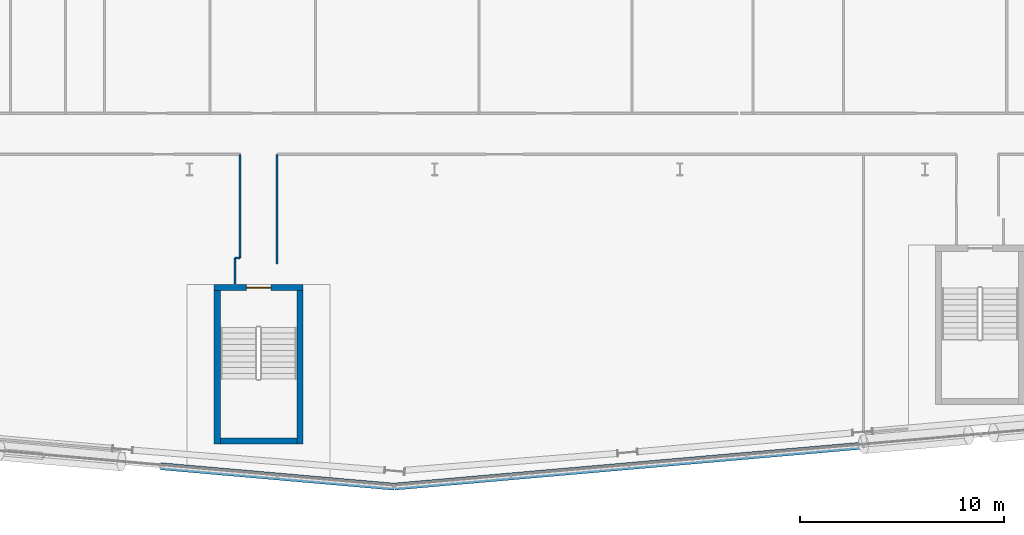
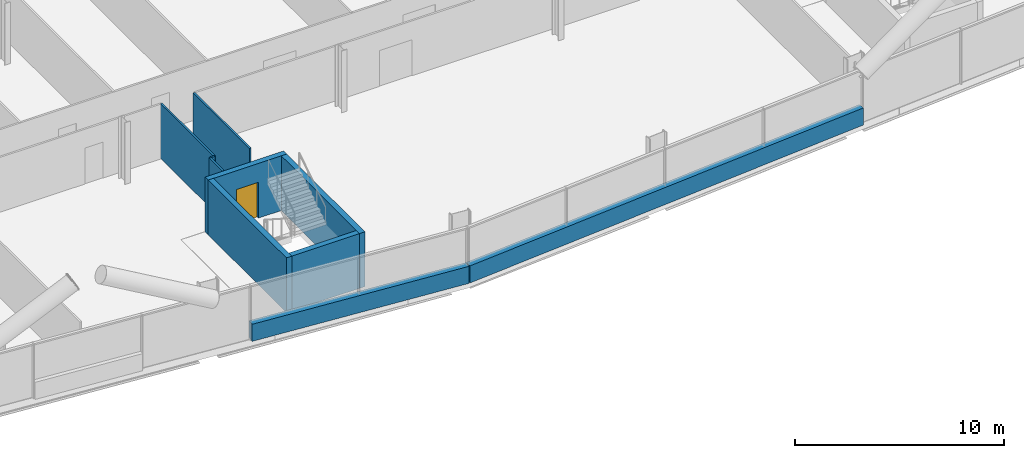
# One storey, part 14 of 27: 10 walls, 1 door, 1 opening.
"""IFC4 building model written with IfcOpenShell, lengths in metres."""

import ifcopenshell
import ifcopenshell.guid

model = None  # the IFC model being written
_history = None  # IfcOwnerHistory: only IFC2X3 demands one
_inside = {}  # id of a spatial element -> (the spatial element, [elements in it])
_under = {}  # id of a project, library or spatial element -> (it, [spatial elements below it])
_declared = {}  # id of a project -> (the project, [libraries it declares])
_typed = {}  # id of a type object -> (the type object, [elements of that type])
_made_of = {}  # id of a material, layer set ... -> (it, [elements and type objects made of it])


def new_model(schema):
    """Start an empty IFC model of exactly this schema.

    Asked for "IFC4X3", IfcOpenShell would pick the latest addendum, in which some entities
    have other attributes; the version numbers below select the first issue.
    IFC2X3 requires an IfcOwnerHistory on every rooted entity: one is made here for all.
    """
    global model, _history
    if schema == "IFC4X3":
        model = ifcopenshell.file(schema_version=(4, 3, 0, 0))
    else:
        model = ifcopenshell.file(schema=schema)
    _inside.clear()
    _under.clear()
    _declared.clear()
    _typed.clear()
    _made_of.clear()
    _history = None
    if model.schema == "IFC2X3":
        org = make("IfcOrganization", Name="unknown")
        user = make(
            "IfcPersonAndOrganization",
            ThePerson=make("IfcPerson", FamilyName="unknown"),
            TheOrganization=org,
        )
        app = make(
            "IfcApplication",
            ApplicationDeveloper=org,
            Version="unknown",
            ApplicationFullName="unknown",
            ApplicationIdentifier="unknown",
        )
        _history = make(
            "IfcOwnerHistory",
            OwningUser=user,
            OwningApplication=app,
            ChangeAction="ADDED",
            CreationDate=0,
        )
    return model


def make(cls, **values):
    """One entity of the class cls with the attributes given. An attribute that is None is left unset."""
    return model.create_entity(
        cls, **{name: value for name, value in values.items() if value is not None}
    )


def rooted(cls, **values):
    """An entity with a GlobalId (a new one), such as an element, a storey or a relation."""
    return make(cls, GlobalId=ifcopenshell.guid.new(), OwnerHistory=_history, **values)


def si_unit(unit_type, name, prefix=None):
    """IfcSIUnit, for example si_unit("LENGTHUNIT", "METRE", prefix="MILLI")."""
    return make("IfcSIUnit", UnitType=unit_type, Prefix=prefix, Name=name)


def assignment(units):
    """IfcUnitAssignment: the units of a project."""
    return None if units is None else make("IfcUnitAssignment", Units=units)


def point(xyz):
    """IfcCartesianPoint."""
    return None if xyz is None else make("IfcCartesianPoint", Coordinates=xyz)


def direction(xyz):
    """IfcDirection."""
    return None if xyz is None else make("IfcDirection", DirectionRatios=xyz)


def frame(location, z_axis=None, x_axis=None):
    """IfcAxis2Placement3D, a coordinate frame: its origin and axes. An axis left out is left unset."""
    return make(
        "IfcAxis2Placement3D",
        Location=point(location),
        Axis=direction(z_axis),
        RefDirection=direction(x_axis),
    )


def frame_2d(location, x_axis=None):
    """IfcAxis2Placement2D, a coordinate frame in the plane: its origin and x axis."""
    return make(
        "IfcAxis2Placement2D", Location=point(location), RefDirection=direction(x_axis)
    )


def origin():
    """The frame at (0, 0, 0) with its axes left unset."""
    return frame((0.0, 0.0, 0.0))


def place(relative_to, where):
    """IfcLocalPlacement: puts the frame where relative to a parent placement (None: the world)."""
    return make(
        "IfcLocalPlacement", PlacementRelTo=relative_to, RelativePlacement=where
    )


def context(
    kind, dimensions, precision=None, world=None, true_north=None, identifier=None
):
    """IfcGeometricRepresentationContext, for example the 3D "Model" context."""
    return make(
        "IfcGeometricRepresentationContext",
        ContextIdentifier=identifier,
        ContextType=kind,
        CoordinateSpaceDimension=dimensions,
        Precision=precision,
        WorldCoordinateSystem=world,
        TrueNorth=true_north,
    )


def subcontext(parent, identifier, kind, view, scale=None):
    """IfcGeometricRepresentationSubContext, for example "Body" below "Model"."""
    return make(
        "IfcGeometricRepresentationSubContext",
        ContextIdentifier=identifier,
        ContextType=kind,
        ParentContext=parent,
        TargetScale=scale,
        TargetView=view,
    )


def project(units=None, contexts=None):
    """IfcProject with its units and contexts."""
    return rooted(
        "IfcProject",
        Name="project",
        RepresentationContexts=contexts,
        UnitsInContext=assignment(units),
    )


def spatial(cls, under=None, at=None, **own):
    """A site, building, storey or space (cls), placed at a placement, below another one or the project."""
    s = rooted(cls, ObjectPlacement=at, **own)
    if under is not None:
        _under.setdefault(under.id(), (under, []))[1].append(s)
    return s


def profile(cls, at=None, kind="AREA", **sizes):
    """A parametric profile (cls). Its sizes go by their IFC names, for example OverallWidth=200.0."""
    return make(cls, ProfileType=kind, Position=at, **sizes)


def rectangle(**sizes):
    """IfcRectangleProfileDef."""
    return profile("IfcRectangleProfileDef", **sizes)


def extrude(swept, where, along, depth):
    """IfcExtrudedAreaSolid: the profile swept, set in the frame where, extruded along a direction by depth."""
    return make(
        "IfcExtrudedAreaSolid",
        SweptArea=swept,
        Position=where,
        ExtrudedDirection=direction(along),
        Depth=depth,
    )


def shape(context_of_items, identifier, shape_type, items):
    """IfcShapeRepresentation: the items that make up one representation, for example the "Body"."""
    return make(
        "IfcShapeRepresentation",
        ContextOfItems=context_of_items,
        RepresentationIdentifier=identifier,
        RepresentationType=shape_type,
        Items=items,
    )


def material(Name=None, Category=None):
    """IfcMaterial."""
    return make("IfcMaterial", Name=Name, Category=Category)


def layer(
    of_material, thickness, ventilated=None, Name=None, Category=None, Priority=None
):
    """IfcMaterialLayer: one layer of a wall or slab, of a material (None: an air gap)."""
    return make(
        "IfcMaterialLayer",
        Material=of_material,
        LayerThickness=thickness,
        IsVentilated=ventilated,
        Name=Name,
        Category=Category,
        Priority=Priority,
    )


def layer_set(layers, Name=None):
    """IfcMaterialLayerSet."""
    return make("IfcMaterialLayerSet", MaterialLayers=layers, LayerSetName=Name)


def made_of(thing, what):
    """Note that an element or type object is made of a material, layer set ...; save() writes the relation."""
    if what is not None:
        _made_of.setdefault(what.id(), (what, []))[1].append(thing)
    return thing


def type_object(cls, material=None, **own):
    """A type object (cls), such as IfcWallType, which elements share."""
    return made_of(rooted(cls, **own), material)


def element(
    cls,
    number,
    at=None,
    inside=None,
    cuts=None,
    type_object=None,
    material=None,
    context=None,
    identifier="Body",
    shape_type=None,
    held_by="IfcProductDefinitionShape",
    body=None,
    shapes=None,
    **own,
):
    """One element of the class cls, such as IfcWall. Its Tag is "e" and its number.

    at: its placement. inside: the storey or other place that contains it. cuts: it is an
    opening in that element (IfcRelVoidsElement). A single representation is given by context,
    identifier, shape_type and body (its items); several are given by shapes. held_by: the class
    of the entity that holds the representations. save() writes the other relations.
    """
    e = rooted(cls, Tag="e%d" % number, ObjectPlacement=at, **own)
    if body is not None:
        shapes = [shape(context, identifier, shape_type, body)]
    if shapes is not None:
        e.Representation = make(held_by, Representations=shapes)
    if inside is not None:
        _inside.setdefault(inside.id(), (inside, []))[1].append(e)
    if cuts is not None:
        rooted(
            "IfcRelVoidsElement", RelatingBuildingElement=cuts, RelatedOpeningElement=e
        )
    if type_object is not None:
        _typed.setdefault(type_object.id(), (type_object, []))[1].append(e)
    return made_of(e, material)


def fill(opening, filler):
    """IfcRelFillsElement: the door or window that sits in an opening."""
    return rooted(
        "IfcRelFillsElement",
        RelatingOpeningElement=opening,
        RelatedBuildingElement=filler,
    )


def aggregate(whole, parts):
    """IfcRelAggregates: a whole, such as a stair, and the parts it consists of."""
    return rooted("IfcRelAggregates", RelatingObject=whole, RelatedObjects=parts)


def save(model, path):
    """Write the relations noted so far, then the file.

    IfcRelAggregates (storeys below a building ...), IfcRelContainedInSpatialStructure (elements
    in a storey), IfcRelDefinesByType, IfcRelAssociatesMaterial and IfcRelDeclares: one each for
    every whole, place, type object, material and project.
    """
    for whole, parts in _under.values():
        aggregate(whole, parts)
    for where, things in _inside.values():
        rooted(
            "IfcRelContainedInSpatialStructure",
            RelatedElements=things,
            RelatingStructure=where,
        )
    for kind, things in _typed.values():
        rooted("IfcRelDefinesByType", RelatedObjects=things, RelatingType=kind)
    for what, things in _made_of.values():
        rooted("IfcRelAssociatesMaterial", RelatedObjects=things, RelatingMaterial=what)
    for by, libraries in _declared.values():
        rooted("IfcRelDeclares", RelatingContext=by, RelatedDefinitions=libraries)
    model.write(path)


model = new_model("IFC4")

# Units and contexts
model_context = context("Model", 3, precision=1e-05, world=origin(), true_north=direction((0.0, 1.0)))
body_context = subcontext(model_context, "Body", "Model", "MODEL_VIEW")
ifc_project = project(units=[si_unit("LENGTHUNIT", "METRE"), si_unit("AREAUNIT", "SQUARE_METRE"), si_unit("VOLUMEUNIT", "CUBIC_METRE"), si_unit("PLANEANGLEUNIT", "RADIAN"), si_unit("MASSUNIT", "GRAM", prefix="KILO")], contexts=[model_context])

# Site, building, storey
site_placement = place(None, origin())
site = spatial("IfcSite", under=ifc_project, at=site_placement, CompositionType="ELEMENT")
building_placement = place(site_placement, origin())
building = spatial("IfcBuilding", under=site, at=building_placement, Name="Wharfspan Tower", CompositionType="ELEMENT")
storey_placement = place(building_placement, frame((0.0, 0.0, 45.100098)))
storey = spatial("IfcBuildingStorey", under=building, at=storey_placement, Name="L07", CompositionType="ELEMENT", Elevation=45.100098)

# Walls
ifc_material_1 = material(Name="Gypsum board on steel studs", Category="steel")
ifc_layer_1 = layer(ifc_material_1, 0.100098)
ifc_layer_set_1 = layer_set([ifc_layer_1], Name="Gypsum board on steel studs")
wall_type_1 = type_object("IfcWallType", Name="Compartment wall 100 EI 60", PredefinedType="PARTITIONING", material=ifc_layer_set_1)
wall_1_placement = place(storey_placement, frame((38.22998, 5.880615, 0.0), z_axis=(0.0, 0.0, 1.0), x_axis=(0.0, 1.0, 0.0)))
element("IfcWall", 1, at=wall_1_placement, inside=storey, type_object=wall_type_1, Name="Partition L07.w036", PredefinedType="PARTITIONING", context=body_context, shape_type="SweptSolid", body=[
    extrude(rectangle(XDim=1.279297, YDim=0.100098, at=frame_2d((0.639648, 0.0))), origin(), (0.0, 0.0, 1.0), 3.199951),
])
wall_2_placement = place(storey_placement, frame((38.235107, 7.159912, 0.0), z_axis=(0.0, 0.0, 1.0), x_axis=(1.0, 0.0, 0.0)))
element("IfcWall", 2, at=wall_2_placement, inside=storey, type_object=wall_type_1, Name="Partition L07.w037", PredefinedType="PARTITIONING", context=body_context, shape_type="SweptSolid", body=[
    extrude(rectangle(XDim=0.244873, YDim=0.100098, at=frame_2d((0.122559, 0.0))), origin(), (0.0, 0.0, 1.0), 3.199951),
])
wall_3_placement = place(storey_placement, frame((38.47998, 7.159912, 0.0), z_axis=(0.0, 0.0, 1.0), x_axis=(0.0, 1.0, 0.0)))
element("IfcWall", 3, at=wall_3_placement, inside=storey, type_object=wall_type_1, Name="Partition L07.w038", PredefinedType="PARTITIONING", context=body_context, shape_type="SweptSolid", body=[
    extrude(rectangle(XDim=5.075195, YDim=0.100098, at=frame_2d((2.537598, 0.0))), origin(), (0.0, 0.0, 1.0), 3.199951),
])
wall_4_placement = place(storey_placement, frame((40.284912, 6.860596, 0.0), z_axis=(0.0, 0.0, 1.0), x_axis=(0.0, 1.0, 0.0)))
element("IfcWall", 4, at=wall_4_placement, inside=storey, type_object=wall_type_1, Name="Partition L07.w039", PredefinedType="PARTITIONING", context=body_context, shape_type="SweptSolid", body=[
    extrude(rectangle(XDim=5.374512, YDim=0.100098, at=frame_2d((2.687256, 0.0))), origin(), (0.0, 0.0, 1.0), 3.199951),
])
ifc_material_2 = material(Name="Concrete C40/50", Category="concrete")
ifc_layer_2 = layer(ifc_material_2, 0.350098)
ifc_layer_set_2 = layer_set([ifc_layer_2], Name="Concrete C40/50")
wall_type_2 = type_object("IfcWallType", Name="SPANDREL EXPOSED CONCRETE 350", PredefinedType="SOLIDWALL", material=ifc_layer_set_2)
wall_5_placement = place(storey_placement, frame((34.60083, -3.032227, 0.0), z_axis=(0.0, 0.0, 1.0), x_axis=(0.996193, -0.087148, 0.0)))
element("IfcWall", 5, at=wall_5_placement, inside=storey, type_object=wall_type_2, Name="Spandrel upstand L07 S1 3", PredefinedType="SOLIDWALL", context=body_context, shape_type="SweptSolid", body=[
    extrude(rectangle(XDim=11.458008, YDim=0.350098, at=frame_2d((5.729004, 0.0))), origin(), (0.0, 0.0, 1.0), 1.0),
])
wall_6_placement = place(storey_placement, frame((46.04541, -4.025635, 0.0), z_axis=(0.0, 0.0, 1.0), x_axis=(0.99619, 0.087163, 0.0)))
element("IfcWall", 6, at=wall_6_placement, inside=storey, type_object=wall_type_2, Name="Spandrel upstand L07 S2 1", PredefinedType="SOLIDWALL", context=body_context, shape_type="SweptSolid", body=[
    extrude(rectangle(XDim=23.012695, YDim=0.350098, at=frame_2d((11.506348, 0.0))), origin(), (0.0, 0.0, 1.0), 1.0),
])

# Wall, opening, door
ifc_layer_3 = layer(ifc_material_2, 0.300049)
ifc_layer_set_3 = layer_set([ifc_layer_3], Name="Concrete C40/50")
wall_type_3 = type_object("IfcWallType", Name="Stair core wall 300", PredefinedType="SHEAR", material=ifc_layer_set_3)
wall_7_placement = place(storey_placement, frame((37.208252, 5.710693, 0.0), z_axis=(0.0, 0.0, 1.0), x_axis=(1.0, 0.0, 0.0)))
wall_7 = element("IfcWall", 7, at=wall_7_placement, inside=storey, type_object=wall_type_3, Name="ST4 stair enclosure wall L07", PredefinedType="SHEAR", context=body_context, shape_type="SweptSolid", body=[
    extrude(rectangle(XDim=4.350098, YDim=0.300049, at=frame_2d((2.175049, 0.0))), origin(), (0.0, 0.0, 1.0), 3.199951),
])
opening_placement = place(wall_7_placement, frame((1.574951, 0.0, 0.0)))
opening = element("IfcOpeningElement", 8, at=opening_placement, cuts=wall_7, Name="Opening SD4.L07", PredefinedType="OPENING", context=body_context, shape_type="SweptSolid", body=[
    extrude(rectangle(XDim=1.199951, YDim=2.100098, at=frame_2d((0.600098, 1.050049))), frame((0.0, 0.159912, 0.0), z_axis=(0.0, -1.0, 0.0), x_axis=(1.0, 0.0, 0.0)), (0.0, 0.0, 1.0), 0.320068),
])
ifc_material_3 = material(Name="Steel door leaf", Category="steel")
door_type = type_object("IfcDoorType", Name="Stair door 1200x2100", OperationType="SINGLE_SWING_LEFT", PredefinedType="DOOR", material=ifc_material_3)
door_placement = place(opening_placement, origin())
door = element("IfcDoor", 9, at=door_placement, inside=storey, type_object=door_type, Name="sd:L07:ST4z1", OperationType="SINGLE_SWING_RIGHT", OverallHeight=2.100098, OverallWidth=1.199951, PredefinedType="DOOR", context=body_context, shape_type="SweptSolid", body=[
    extrude(rectangle(XDim=1.199951, YDim=2.100098, at=frame_2d((0.600098, 1.050049))), frame((0.0, 0.024902, 0.0), z_axis=(0.0, -1.0, 0.0), x_axis=(1.0, 0.0, 0.0)), (0.0, 0.0, 1.0), 0.050049),
])
fill(opening, door)

# Walls
for number, where, z_axis, x_axis, name in (
    (10, (37.358398, -1.939453, 0.0), (0.0, 0.0, 1.0), (0.0, 1.0, 0.0), "ST4 stair enclosure wall L07"),
    (11, (41.408203, -1.939453, 0.0), (0.0, 0.0, 1.0), (0.0, 1.0, 0.0), "ST4 stair enclosure wall L07"),
):
    element("IfcWall", number, at=place(storey_placement, frame(where, z_axis=z_axis, x_axis=x_axis)), inside=storey, type_object=wall_type_3, Name=name, PredefinedType="SHEAR", context=body_context, shape_type="SweptSolid", body=[
        extrude(rectangle(XDim=7.5, YDim=0.300049, at=frame_2d((3.75, 0.0))), origin(), (0.0, 0.0, 1.0), 3.199951),
    ])
wall_8_placement = place(storey_placement, frame((37.508301, -1.789307, 0.0), z_axis=(0.0, 0.0, 1.0), x_axis=(1.0, 0.0, 0.0)))
element("IfcWall", 12, at=wall_8_placement, inside=storey, type_object=wall_type_3, Name="ST4 stair enclosure wall L07", PredefinedType="SHEAR", context=body_context, shape_type="SweptSolid", body=[
    extrude(rectangle(XDim=3.75, YDim=0.300049, at=frame_2d((1.875, 0.0))), origin(), (0.0, 0.0, 1.0), 3.199951),
])

save(model, "model.ifc")
